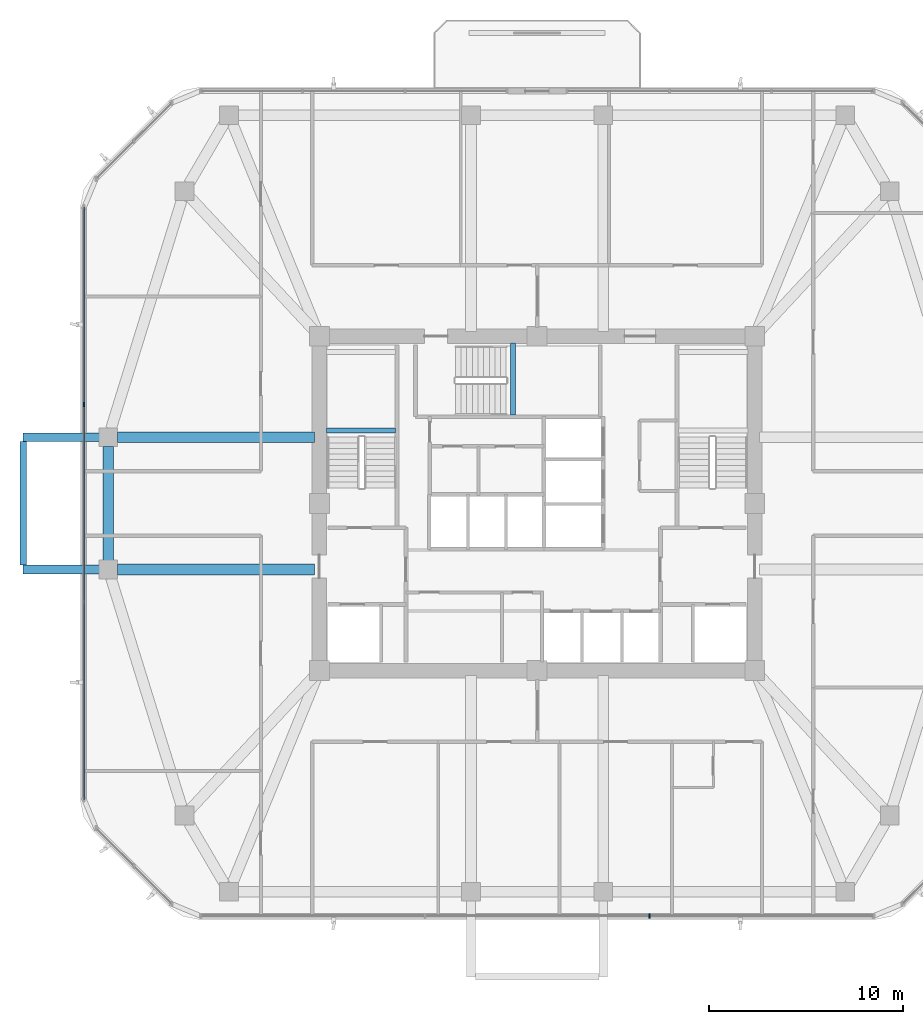
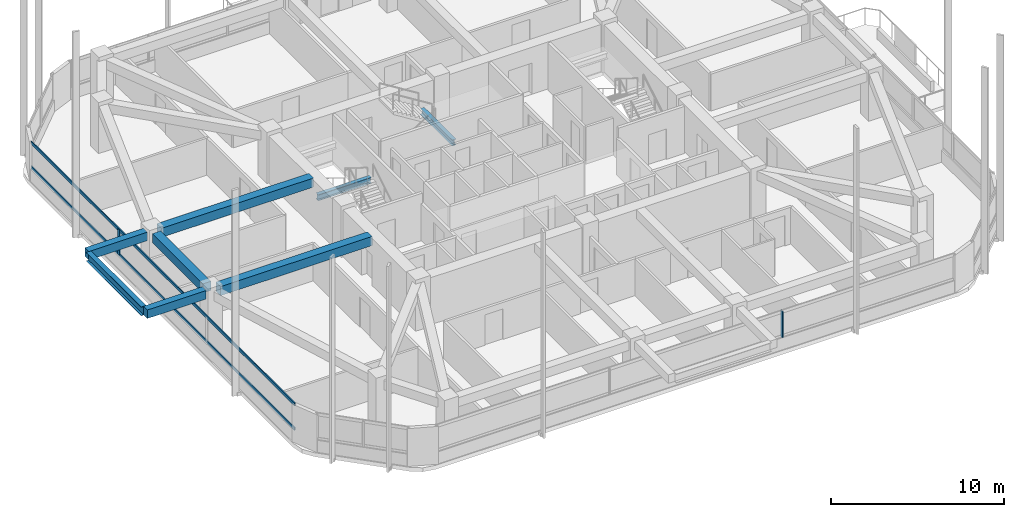
# One storey, part 3 of 14: 8 beams, 4 members, 2 elements without a shape of their own.
"""IFC4 building model written with IfcOpenShell, lengths in metres."""

from ifc_helpers import new_model, si_unit, derived_unit, direction, frame, origin, origin_2d, place, context, subcontext, project, spatial, rectangle, i_section, extrude, material, material_profile, profile_set, type_object, element, aggregate, save


model = new_model("IFC4")

# Units and contexts
model_context = context("Model", 3, precision=1e-05, world=origin(), true_north=direction((0.0, 1.0)))
body_context = subcontext(model_context, "Body", "Model", "MODEL_VIEW")
ifc_project = project(units=[si_unit("LENGTHUNIT", "METRE"), si_unit("AREAUNIT", "SQUARE_METRE"), si_unit("VOLUMEUNIT", "CUBIC_METRE"), si_unit("PLANEANGLEUNIT", "RADIAN"), si_unit("MASSUNIT", "GRAM", prefix="KILO"), derived_unit("THERMALTRANSMITTANCEUNIT", [(si_unit("POWERUNIT", "WATT"), 1), (si_unit("LENGTHUNIT", "METRE"), -2), (si_unit("THERMODYNAMICTEMPERATUREUNIT", "KELVIN"), -1)])], contexts=[model_context])

# Site, building, storey
site_placement = place(None, origin())
site = spatial("IfcSite", under=ifc_project, at=site_placement, CompositionType="ELEMENT")
building_placement = place(site_placement, origin())
building = spatial("IfcBuilding", under=site, at=building_placement, Name="Koralith Skygarden Medical Center", CompositionType="ELEMENT")
storey_placement = place(building_placement, frame((0.0, 0.0, 160.02001953125)))
storey = spatial("IfcBuildingStorey", under=building, at=storey_placement, Name="L41", CompositionType="ELEMENT", Elevation=160.02001953125)

# Curtain wall, member
ifc_material_1 = material(Name="Clear Laminated Glass", Category="glass")
curtain_wall_type = type_object("IfcCurtainWallType", Name="CW-4 Zone 3 Waist High-Wind Curtain Wall", PredefinedType="NOTDEFINED", material=ifc_material_1)
curtain_wall_1_placement = place(storey_placement, origin())
curtain_wall_1 = element("IfcCurtainWall", 1, at=curtain_wall_1_placement, inside=storey, type_object=curtain_wall_type, Name="Curtain Wall CW-L41-S", PredefinedType="NOTDEFINED")
ifc_material_2 = material(Name="Aluminium 6063-T6", Category="aluminium")
ifc_material_profile_1 = material_profile(ifc_material_2, rectangle(XDim=0.076904296875, YDim=0.22998046875, at=origin_2d()), Name="MUL77X230")
ifc_profile_set_1 = profile_set([ifc_material_profile_1], Name="Aluminium 6063-T6")
member_type_1 = type_object("IfcMemberType", Name="CW-4 Extruded Mullion 77x230", PredefinedType="MULLION", material=ifc_profile_set_1)
member_1_placement = place(storey_placement, frame((42.77587890625, 4.679931640625, 0.85009765625), z_axis=(0.0, 0.0, 1.0), x_axis=(1.0, 0.0, 0.0)))
member_1 = element("IfcMember", 2, at=member_1_placement, type_object=member_type_1, Name="CW-L41-S Mullion 3", PredefinedType="MULLION", context=body_context, shape_type="SweptSolid", body=[
    extrude(rectangle(XDim=0.076904296875, YDim=0.22998046875, at=origin_2d()), origin(), (0.0, 0.0, 1.0), 1.81982421875),
])
aggregate(curtain_wall_1, [member_1])

# Curtain wall, members
curtain_wall_2_placement = place(storey_placement, origin())
curtain_wall_2 = element("IfcCurtainWall", 3, at=curtain_wall_2_placement, inside=storey, type_object=curtain_wall_type, Name="Curtain Wall CW-L41-W", PredefinedType="NOTDEFINED")
member_2_placement = place(storey_placement, frame((13.696044921875, 30.98193359375, 0.85009765625), z_axis=(0.0, 0.0, 1.0), x_axis=(1.0, 0.0, 0.0)))
member_2 = element("IfcMember", 4, at=member_2_placement, type_object=member_type_1, Name="CW-L41-W Mullion 2", PredefinedType="MULLION", context=body_context, shape_type="SweptSolid", body=[
    extrude(rectangle(XDim=0.076904296875, YDim=0.22998046875, at=origin_2d()), origin(), (0.0, 0.0, 1.0), 1.81982421875),
])
ifc_material_profile_2 = material_profile(ifc_material_2, rectangle(XDim=0.072021484375, YDim=0.20703125, at=origin_2d()), Name="TRN72X207")
ifc_profile_set_2 = profile_set([ifc_material_profile_2], Name="Aluminium 6063-T6")
member_type_2 = type_object("IfcMemberType", Name="CW-4 Thermal Transom 72x207", PredefinedType="USERDEFINED", material=ifc_profile_set_2)
member_3_placement = place(storey_placement, frame((13.696044921875, 41.14501953125, 0.89990234375), z_axis=(0.0, -1.0, 0.0), x_axis=(1.0, 0.0, 0.0)))
member_3 = element("IfcMember", 5, at=member_3_placement, type_object=member_type_2, Name="CW-L41-W Transom 1", ObjectType="TRANSOM", PredefinedType="USERDEFINED", context=body_context, shape_type="SweptSolid", body=[
    extrude(rectangle(XDim=0.072021484375, YDim=0.20703125, at=origin_2d()), origin(), (0.0, 0.0, 1.0), 30.489990234375),
])
member_4_placement = place(storey_placement, frame((13.696044921875, 41.14501953125, 2.619873046875), z_axis=(0.0, -1.0, 0.0), x_axis=(1.0, 0.0, 0.0)))
member_4 = element("IfcMember", 6, at=member_4_placement, type_object=member_type_2, Name="CW-L41-W Transom 2", ObjectType="TRANSOM", PredefinedType="USERDEFINED", context=body_context, shape_type="SweptSolid", body=[
    extrude(rectangle(XDim=0.072021484375, YDim=0.20703125, at=origin_2d()), origin(), (0.0, 0.0, 1.0), 30.489990234375),
])
aggregate(curtain_wall_2, [member_2, member_3, member_4])

# Beams
ifc_material_3 = material(Name="Steel ASTM A992 Grade 50", Category="steel")
ifc_material_profile_3 = material_profile(ifc_material_3, i_section(OverallWidth=0.326904296875, OverallDepth=0.6220703125, WebThickness=0.015380859375, FlangeThickness=0.0244140625, at=origin_2d()), Name="W24X131")
ifc_profile_set_3 = profile_set([ifc_material_profile_3], Name="Steel ASTM A992 Grade 50")
beam_type_1 = type_object("IfcBeamType", Name="Cantilever Tie Beam W24X131", PredefinedType="BEAM", material=ifc_profile_set_3)
beam_1_placement = place(storey_placement, frame((10.555908203125, 22.719970703125, 3.029052734375), z_axis=(0.0, 1.0, 0.0), x_axis=(-1.0, 0.0, 0.0)))
element("IfcBeam", 7, at=beam_1_placement, inside=storey, type_object=beam_type_1, Name="L42 W Balcony Tip Tie Beam", PredefinedType="BEAM", context=body_context, shape_type="SweptSolid", body=[
    extrude(i_section(OverallWidth=0.326904296875, OverallDepth=0.6220703125, WebThickness=0.015380859375, FlangeThickness=0.0244140625, at=origin_2d()), origin(), (0.0, 0.0, 1.0), 6.360107421875),
])
ifc_material_profile_4 = material_profile(ifc_material_3, i_section(OverallWidth=0.260009765625, OverallDepth=0.4150390625, WebThickness=0.010009765625, FlangeThickness=0.016845703125, at=origin_2d()), Name="W16X67")
ifc_profile_set_4 = profile_set([ifc_material_profile_4], Name="Steel ASTM A992 Grade 50")
beam_type_2 = type_object("IfcBeamType", Name="Clinical Floor Joist W16X67", PredefinedType="JOIST", material=ifc_profile_set_4)
beam_2_placement = place(storey_placement, frame((26.155029296875, 29.659912109375, 1.39208984375), z_axis=(1.0, 0.0, 0.0), x_axis=(0.0, 1.0, 0.0)))
element("IfcBeam", 8, at=beam_2_placement, inside=storey, type_object=beam_type_2, Name="L41 Stair ST1 Half-Landing Support Beam 1A", PredefinedType="JOIST", context=body_context, shape_type="SweptSolid", body=[
    extrude(i_section(OverallWidth=0.260009765625, OverallDepth=0.4150390625, WebThickness=0.010009765625, FlangeThickness=0.016845703125, at=origin_2d()), origin(), (0.0, 0.0, 1.0), 3.56494140625),
])
beam_3_placement = place(storey_placement, frame((35.760009765625, 30.43994140625, 1.39208984375), z_axis=(0.0, 1.0, 0.0), x_axis=(-1.0, 0.0, 0.0)))
element("IfcBeam", 9, at=beam_3_placement, inside=storey, type_object=beam_type_2, Name="L41 Stair ST3 Half-Landing Support Beam 1A", PredefinedType="JOIST", context=body_context, shape_type="SweptSolid", body=[
    extrude(i_section(OverallWidth=0.260009765625, OverallDepth=0.4150390625, WebThickness=0.010009765625, FlangeThickness=0.016845703125, at=origin_2d()), origin(), (0.0, 0.0, 1.0), 3.705078125),
])
ifc_material_4 = material(Name="Concrete C45/55", Category="concrete")
ifc_material_profile_5 = material_profile(ifc_material_4, rectangle(XDim=0.449951171875, YDim=0.60009765625, at=origin_2d()), Name="RCB450X600")
ifc_profile_set_5 = profile_set([ifc_material_profile_5], Name="Concrete C45/55")
beam_type_3 = type_object("IfcBeamType", Name="Planted Balcony Cantilever Beam RCB450X600", PredefinedType="BEAM", material=ifc_profile_set_5)
for number, where, z_axis, x_axis, name in (
    (10, (14.47607421875, 22.5, 3.0400390625), (-1.0, 0.0, 0.0), (0.0, -1.0, 0.0), "L42 W Balcony Cantilever Beam A"),
    (11, (14.47607421875, 29.300048828125, 3.0400390625), (-1.0, 0.0, 0.0), (0.0, -1.0, 0.0), "L42 W Balcony Cantilever Beam B"),
):
    element("IfcBeam", number, at=place(storey_placement, frame(where, z_axis=z_axis, x_axis=x_axis)), inside=storey, type_object=beam_type_3, Name=name, PredefinedType="BEAM", context=body_context, shape_type="SweptSolid", body=[
        extrude(rectangle(XDim=0.449951171875, YDim=0.60009765625, at=origin_2d()), origin(), (0.0, 0.0, 1.0), 3.920166015625),
    ])
ifc_material_profile_6 = material_profile(ifc_material_4, rectangle(XDim=0.550048828125, YDim=0.639892578125, at=origin_2d()), Name="RCB550X640")
ifc_profile_set_6 = profile_set([ifc_material_profile_6], Name="Concrete C45/55")
beam_type_4 = type_object("IfcBeamType", Name="Radial Collector Beam RCB550X640", PredefinedType="BEAM", material=ifc_profile_set_6)
for number, where, z_axis, x_axis, name in (
    (12, (25.550048828125, 22.5, 3.0), (-1.0, 0.0, 0.0), (0.0, -1.0, 0.0), "L41 Radial Collector Beam RB-01"),
    (13, (25.550048828125, 29.300048828125, 3.0), (-1.0, 0.0, 0.0), (0.0, -1.0, 0.0), "L41 Radial Collector Beam RB-16"),
):
    element("IfcBeam", number, at=place(storey_placement, frame(where, z_axis=z_axis, x_axis=x_axis)), inside=storey, type_object=beam_type_4, Name=name, PredefinedType="BEAM", context=body_context, shape_type="SweptSolid", body=[
        extrude(rectangle(XDim=0.550048828125, YDim=0.639892578125, at=origin_2d()), origin(), (0.0, 0.0, 1.0), 10.14404296875),
    ])
ifc_material_profile_7 = material_profile(ifc_material_4, rectangle(XDim=0.550048828125, YDim=0.639892578125, at=origin_2d()), Name="RCB550X640")
ifc_profile_set_7 = profile_set([ifc_material_profile_7], Name="Concrete C45/55")
beam_type_5 = type_object("IfcBeamType", Name="Zone 2-3 Spandrel Beam RCB550X640", PredefinedType="SPANDREL", material=ifc_profile_set_7)
beam_4_placement = place(storey_placement, frame((14.93603515625, 28.830078125, 3.0), z_axis=(0.0, -1.0, 0.0), x_axis=(1.0, 0.0, 0.0)))
element("IfcBeam", 14, at=beam_4_placement, inside=storey, type_object=beam_type_5, Name="L41 Perimeter Spandrel Beam SP-16", PredefinedType="SPANDREL", context=body_context, shape_type="SweptSolid", body=[
    extrude(rectangle(XDim=0.550048828125, YDim=0.639892578125, at=origin_2d()), origin(), (0.0, 0.0, 1.0), 5.860107421875),
])

save(model, "model.ifc")
